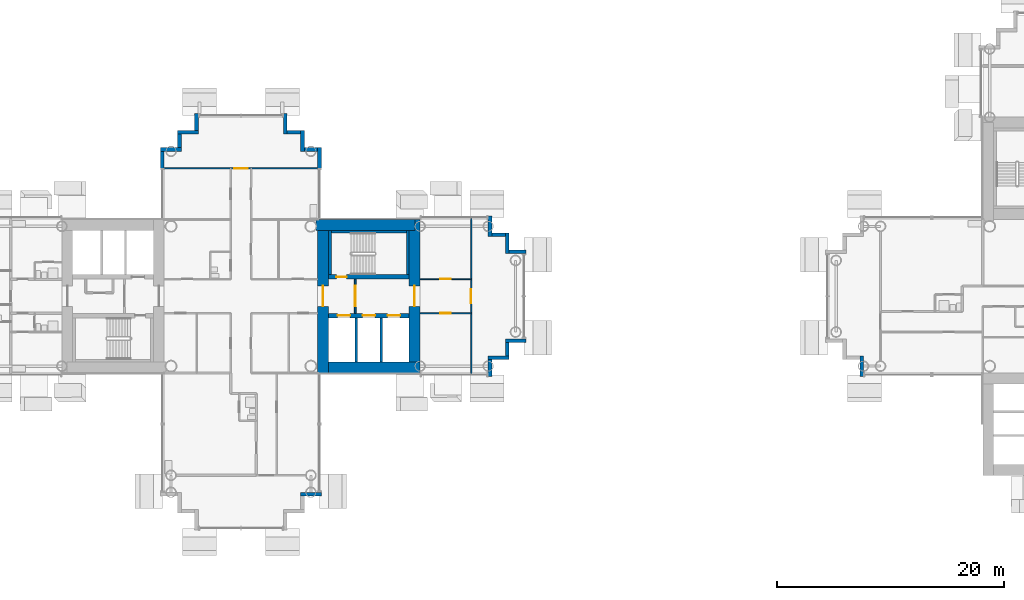
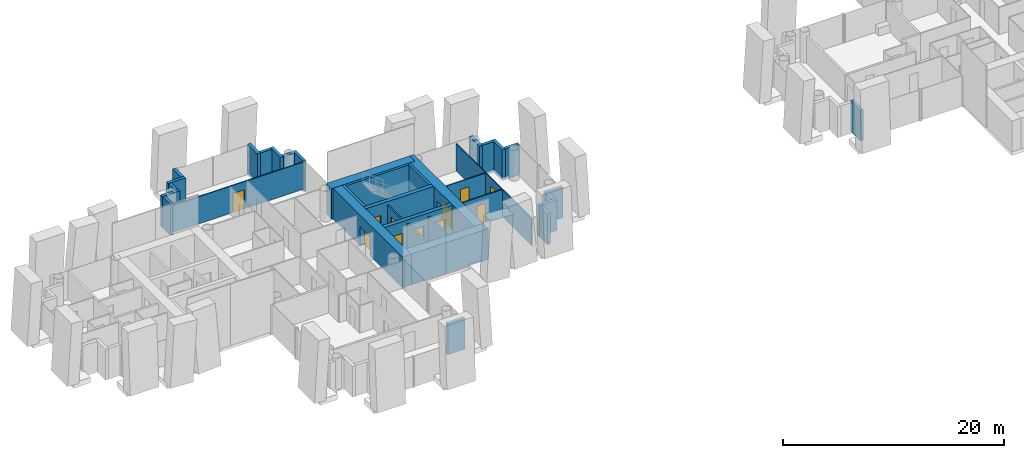
# One storey, part 10 of 21: 36 walls, 11 doors, 11 openings.
"""IFC4 building model written with IfcOpenShell, lengths in metres."""

from ifc_helpers import new_model, si_unit, direction, frame, frame_2d, origin, place, context, subcontext, project, spatial, rectangle, extrude, material, layer, layer_set, type_object, element, fill, save


model = new_model("IFC4")

# Units and contexts
model_context = context("Model", 3, precision=1e-05, world=origin(), true_north=direction((0.0, 1.0)))
body_context = subcontext(model_context, "Body", "Model", "MODEL_VIEW")
ifc_project = project(units=[si_unit("LENGTHUNIT", "METRE"), si_unit("AREAUNIT", "SQUARE_METRE"), si_unit("VOLUMEUNIT", "CUBIC_METRE"), si_unit("PLANEANGLEUNIT", "RADIAN"), si_unit("MASSUNIT", "GRAM", prefix="KILO")], contexts=[model_context])

# Site, building, storey
site_placement = place(None, origin())
site = spatial("IfcSite", under=ifc_project, at=site_placement, CompositionType="ELEMENT")
building_placement = place(site_placement, origin())
building = spatial("IfcBuilding", under=site, at=building_placement, Name="Ipe Terrace Towers", CompositionType="ELEMENT")
storey_placement = place(building_placement, frame((0.0, 0.0, 80.0)))
storey = spatial("IfcBuildingStorey", under=building, at=storey_placement, Name="L21", CompositionType="ELEMENT", Elevation=80.0)

# Walls
ifc_material_1 = material(Name="Concrete C40/50 with buff precast cladding", Category="concrete")
ifc_layer_1 = layer(ifc_material_1, 0.320068359375)
ifc_layer_set_1 = layer_set([ifc_layer_1], Name="BUFF CLADDING WALL 320")
wall_type_1 = type_object("IfcWallType", Name="BUFF CLADDING WALL 320", PredefinedType="STANDARD", material=ifc_layer_set_1)
wall_1_placement = place(storey_placement, frame((-30.75, -17.409912109375, -0.300048828125), z_axis=(0.0, 0.0, 1.0), x_axis=(1.0, 0.0, 0.0)))
element("IfcWall", 1, at=wall_1_placement, inside=storey, type_object=wall_type_1, Name="T1-W-L21-16a wall", PredefinedType="STANDARD", context=body_context, shape_type="SweptSolid", body=[
    extrude(rectangle(XDim=1.820068359375, YDim=0.320068359375, at=frame_2d((0.91015625, 0.0))), origin(), (0.0, 0.0, 1.0), 3.400146484375),
])
wall_2_placement = place(storey_placement, frame((-14.090087890625, -7.070068359375, -0.300048828125), z_axis=(0.0, 0.0, 1.0), x_axis=(0.0, 1.0, 0.0)))
element("IfcWall", 2, at=wall_2_placement, inside=storey, type_object=wall_type_1, Name="T1-W-L21-21a wall", PredefinedType="STANDARD", context=body_context, shape_type="SweptSolid", body=[
    extrude(rectangle(XDim=1.5, YDim=0.320068359375, at=frame_2d((0.75, 0.0))), origin(), (0.0, 0.0, 1.0), 3.400146484375),
])
wall_3_placement = place(storey_placement, frame((-14.25, -5.409912109375, -0.300048828125), z_axis=(0.0, 0.0, 1.0), x_axis=(1.0, 0.0, 0.0)))
element("IfcWall", 3, at=wall_3_placement, inside=storey, type_object=wall_type_1, Name="T1-W-L21-22a wall", PredefinedType="STANDARD", context=body_context, shape_type="SweptSolid", body=[
    extrude(rectangle(XDim=1.820068359375, YDim=0.320068359375, at=frame_2d((0.91015625, 0.0))), origin(), (0.0, 0.0, 1.0), 3.400146484375),
])
wall_4_placement = place(storey_placement, frame((-12.590087890625, -5.25, -0.300048828125), z_axis=(0.0, 0.0, 1.0), x_axis=(0.0, 1.0, 0.0)))
element("IfcWall", 4, at=wall_4_placement, inside=storey, type_object=wall_type_1, Name="T1-W-L21-23a wall", PredefinedType="STANDARD", context=body_context, shape_type="SweptSolid", body=[
    extrude(rectangle(XDim=1.179931640625, YDim=0.320068359375, at=frame_2d((0.58984375, 0.0))), origin(), (0.0, 0.0, 1.0), 3.400146484375),
])
wall_5_placement = place(storey_placement, frame((-12.75, -3.909912109375, -0.300048828125), z_axis=(0.0, 0.0, 1.0), x_axis=(1.0, 0.0, 0.0)))
element("IfcWall", 5, at=wall_5_placement, inside=storey, type_object=wall_type_1, Name="T1-W-L21-24a wall", PredefinedType="STANDARD", context=body_context, shape_type="SweptSolid", body=[
    extrude(rectangle(XDim=1.820068359375, YDim=0.320068359375, at=frame_2d((0.91015625, 0.0))), origin(), (0.0, 0.0, 1.0), 3.400146484375),
])
wall_6_placement = place(storey_placement, frame((-10.929931640625, 3.909912109375, -0.300048828125), z_axis=(0.0, 0.0, 1.0), x_axis=(-1.0, 0.0, 0.0)))
element("IfcWall", 6, at=wall_6_placement, inside=storey, type_object=wall_type_1, Name="T1-W-L21-26a wall", PredefinedType="STANDARD", context=body_context, shape_type="SweptSolid", body=[
    extrude(rectangle(XDim=1.5, YDim=0.320068359375, at=frame_2d((0.75, 0.0))), origin(), (0.0, 0.0, 1.0), 3.400146484375),
])
wall_7_placement = place(storey_placement, frame((-12.590087890625, 3.75, -0.300048828125), z_axis=(0.0, 0.0, 1.0), x_axis=(0.0, 1.0, 0.0)))
element("IfcWall", 7, at=wall_7_placement, inside=storey, type_object=wall_type_1, Name="T1-W-L21-27a wall", PredefinedType="STANDARD", context=body_context, shape_type="SweptSolid", body=[
    extrude(rectangle(XDim=1.820068359375, YDim=0.320068359375, at=frame_2d((0.91015625, 0.0))), origin(), (0.0, 0.0, 1.0), 3.400146484375),
])
wall_8_placement = place(storey_placement, frame((-12.75, 5.409912109375, -0.300048828125), z_axis=(0.0, 0.0, 1.0), x_axis=(-1.0, 0.0, 0.0)))
element("IfcWall", 8, at=wall_8_placement, inside=storey, type_object=wall_type_1, Name="T1-W-L21-28a wall", PredefinedType="STANDARD", context=body_context, shape_type="SweptSolid", body=[
    extrude(rectangle(XDim=1.179931640625, YDim=0.320068359375, at=frame_2d((0.58984375, 0.0))), origin(), (0.0, 0.0, 1.0), 3.400146484375),
])
for number, where, z_axis, x_axis, name in (
    (9, (-14.090087890625, 5.25, -0.300048828125), (0.0, 0.0, 1.0), (0.0, 1.0, 0.0), "T1-W-L21-29a wall"),
    (10, (-29.090087890625, 11.25, -0.300048828125), (0.0, 0.0, 1.0), (0.0, 1.0, 0.0), "T1-W-L21-33a wall"),
):
    element("IfcWall", number, at=place(storey_placement, frame(where, z_axis=z_axis, x_axis=x_axis)), inside=storey, type_object=wall_type_1, Name=name, PredefinedType="STANDARD", context=body_context, shape_type="SweptSolid", body=[
        extrude(rectangle(XDim=1.820068359375, YDim=0.320068359375, at=frame_2d((0.91015625, 0.0))), origin(), (0.0, 0.0, 1.0), 3.400146484375),
    ])
wall_9_placement = place(storey_placement, frame((-29.25, 12.909912109375, -0.300048828125), z_axis=(0.0, 0.0, 1.0), x_axis=(-1.0, 0.0, 0.0)))
element("IfcWall", 11, at=wall_9_placement, inside=storey, type_object=wall_type_1, Name="T1-W-L21-34a wall", PredefinedType="STANDARD", context=body_context, shape_type="SweptSolid", body=[
    extrude(rectangle(XDim=1.179931640625, YDim=0.320068359375, at=frame_2d((0.58984375, 0.0))), origin(), (0.0, 0.0, 1.0), 3.400146484375),
])
wall_10_placement = place(storey_placement, frame((-30.590087890625, 12.75, -0.300048828125), z_axis=(0.0, 0.0, 1.0), x_axis=(0.0, 1.0, 0.0)))
element("IfcWall", 12, at=wall_10_placement, inside=storey, type_object=wall_type_1, Name="T1-W-L21-35a wall", PredefinedType="STANDARD", context=body_context, shape_type="SweptSolid", body=[
    extrude(rectangle(XDim=1.820068359375, YDim=0.320068359375, at=frame_2d((0.91015625, 0.0))), origin(), (0.0, 0.0, 1.0), 3.400146484375),
])
wall_11_placement = place(storey_placement, frame((-30.75, 14.409912109375, -0.300048828125), z_axis=(0.0, 0.0, 1.0), x_axis=(-1.0, 0.0, 0.0)))
element("IfcWall", 13, at=wall_11_placement, inside=storey, type_object=wall_type_1, Name="T1-W-L21-36a wall", PredefinedType="STANDARD", context=body_context, shape_type="SweptSolid", body=[
    extrude(rectangle(XDim=1.179931640625, YDim=0.320068359375, at=frame_2d((0.58984375, 0.0))), origin(), (0.0, 0.0, 1.0), 3.400146484375),
])
wall_12_placement = place(storey_placement, frame((-32.090087890625, 14.25, -0.300048828125), z_axis=(0.0, 0.0, 1.0), x_axis=(0.0, 1.0, 0.0)))
element("IfcWall", 14, at=wall_12_placement, inside=storey, type_object=wall_type_1, Name="T1-W-L21-37a wall", PredefinedType="STANDARD", context=body_context, shape_type="SweptSolid", body=[
    extrude(rectangle(XDim=1.820068359375, YDim=0.320068359375, at=frame_2d((0.91015625, 0.0))), origin(), (0.0, 0.0, 1.0), 3.400146484375),
])
wall_13_placement = place(storey_placement, frame((-39.909912109375, 16.070068359375, -0.300048828125), z_axis=(0.0, 0.0, 1.0), x_axis=(0.0, -1.0, 0.0)))
element("IfcWall", 15, at=wall_13_placement, inside=storey, type_object=wall_type_1, Name="T1-W-L21-39a wall", PredefinedType="STANDARD", context=body_context, shape_type="SweptSolid", body=[
    extrude(rectangle(XDim=1.5, YDim=0.320068359375, at=frame_2d((0.75, 0.0))), origin(), (0.0, 0.0, 1.0), 3.400146484375),
])
wall_14_placement = place(storey_placement, frame((-39.75, 14.409912109375, -0.300048828125), z_axis=(0.0, 0.0, 1.0), x_axis=(-1.0, 0.0, 0.0)))
element("IfcWall", 16, at=wall_14_placement, inside=storey, type_object=wall_type_1, Name="T1-W-L21-40a wall", PredefinedType="STANDARD", context=body_context, shape_type="SweptSolid", body=[
    extrude(rectangle(XDim=1.820068359375, YDim=0.320068359375, at=frame_2d((0.91015625, 0.0))), origin(), (0.0, 0.0, 1.0), 3.400146484375),
])
wall_15_placement = place(storey_placement, frame((-41.409912109375, 14.25, -0.300048828125), z_axis=(0.0, 0.0, 1.0), x_axis=(0.0, -1.0, 0.0)))
element("IfcWall", 17, at=wall_15_placement, inside=storey, type_object=wall_type_1, Name="T1-W-L21-41a wall", PredefinedType="STANDARD", context=body_context, shape_type="SweptSolid", body=[
    extrude(rectangle(XDim=1.179931640625, YDim=0.320068359375, at=frame_2d((0.58984375, 0.0))), origin(), (0.0, 0.0, 1.0), 3.400146484375),
])
wall_16_placement = place(storey_placement, frame((-41.25, 12.909912109375, -0.300048828125), z_axis=(0.0, 0.0, 1.0), x_axis=(-1.0, 0.0, 0.0)))
element("IfcWall", 18, at=wall_16_placement, inside=storey, type_object=wall_type_1, Name="T1-W-L21-42a wall", PredefinedType="STANDARD", context=body_context, shape_type="SweptSolid", body=[
    extrude(rectangle(XDim=1.820068359375, YDim=0.320068359375, at=frame_2d((0.91015625, 0.0))), origin(), (0.0, 0.0, 1.0), 3.400146484375),
])
wall_17_placement = place(storey_placement, frame((-42.909912109375, 12.75, -0.300048828125), z_axis=(0.0, 0.0, 1.0), x_axis=(0.0, -1.0, 0.0)))
element("IfcWall", 19, at=wall_17_placement, inside=storey, type_object=wall_type_1, Name="T1-W-L21-43a wall", PredefinedType="STANDARD", context=body_context, shape_type="SweptSolid", body=[
    extrude(rectangle(XDim=1.5, YDim=0.320068359375, at=frame_2d((0.75, 0.0))), origin(), (0.0, 0.0, 1.0), 3.400146484375),
])
wall_18_placement = place(storey_placement, frame((18.590087890625, -5.25, -0.300048828125), z_axis=(0.0, 0.0, 1.0), x_axis=(0.0, -1.0, 0.0)))
element("IfcWall", 20, at=wall_18_placement, inside=storey, type_object=wall_type_1, Name="T2-W-L21-38a wall", PredefinedType="STANDARD", context=body_context, shape_type="SweptSolid", body=[
    extrude(rectangle(XDim=1.820068359375, YDim=0.320068359375, at=frame_2d((0.91015625, 0.0))), origin(), (0.0, 0.0, 1.0), 3.400146484375),
])

# Wall, opening, door
ifc_material_2 = material(Name="Gypsum board partition", Category="plasterboard")
ifc_layer_2 = layer(ifc_material_2, 0.10009765625)
ifc_layer_set_2 = layer_set([ifc_layer_2], Name="Gypsum board partition 100 mm")
wall_type_2 = type_object("IfcWallType", Name="Gypsum board partition 100 mm", PredefinedType="PARTITIONING", material=ifc_layer_set_2)
wall_19_placement = place(storey_placement, frame((-15.75, -6.85009765625, 0.0), z_axis=(0.0, 0.0, 1.0), x_axis=(0.0, 1.0, 0.0)))
wall_19 = element("IfcWall", 21, at=wall_19_placement, inside=storey, type_object=wall_type_2, Name="Gypsum board partition T1 L21 W17", PredefinedType="PARTITIONING", context=body_context, shape_type="SweptSolid", body=[
    extrude(rectangle(XDim=13.7001953125, YDim=0.10009765625, at=frame_2d((6.85009765625, 0.0))), origin(), (0.0, 0.0, 1.0), 3.0),
])
opening_1_placement = place(wall_19_placement, frame((6.25, 0.0, 0.0)))
opening_1 = element("IfcOpeningElement", 22, at=opening_1_placement, cuts=wall_19, Name="Opening T1-Z2B-18", PredefinedType="OPENING", context=body_context, shape_type="SweptSolid", body=[
    extrude(rectangle(XDim=1.199951171875, YDim=2.10009765625, at=frame_2d((0.60009765625, 1.050048828125))), frame((0.0, 0.06005859375, 0.0), z_axis=(0.0, -1.0, 0.0), x_axis=(1.0, 0.0, 0.0)), (0.0, 0.0, 1.0), 0.1201171875),
])
ifc_material_3 = material(Name="Timber door leaf", Category="wood")
door_type_1 = type_object("IfcDoorType", Name="Lounge door 1200 x 2100", OperationType="NOTDEFINED", PredefinedType="DOOR", material=ifc_material_3)
door_1_placement = place(opening_1_placement, origin())
door_1 = element("IfcDoor", 23, at=door_1_placement, inside=storey, type_object=door_type_1, Name="Lounge door T1-Z2B-18", OperationType="SINGLE_SWING_RIGHT", OverallHeight=2.10009765625, OverallWidth=1.199951171875, PredefinedType="DOOR", context=body_context, shape_type="SweptSolid", body=[
    extrude(rectangle(XDim=1.199951171875, YDim=2.10009765625, at=frame_2d((0.60009765625, 1.050048828125))), frame((0.0, 0.02490234375, 0.0), z_axis=(0.0, -1.0, 0.0), x_axis=(1.0, 0.0, 0.0)), (0.0, 0.0, 1.0), 0.050048828125),
])
fill(opening_1, door_1)

wall_20_placement = place(storey_placement, frame((-20.25, -1.5, 0.0), z_axis=(0.0, 0.0, 1.0), x_axis=(1.0, 0.0, 0.0)))
wall_20 = element("IfcWall", 24, at=wall_20_placement, inside=storey, type_object=wall_type_2, Name="Gypsum board partition T1 L21 W28", PredefinedType="PARTITIONING", context=body_context, shape_type="SweptSolid", body=[
    extrude(rectangle(XDim=4.5, YDim=0.10009765625, at=frame_2d((2.25, 0.0))), origin(), (0.0, 0.0, 1.0), 3.0),
])
opening_2_placement = place(wall_20_placement, frame((1.800048828125, 0.0, 0.0)))
opening_2 = element("IfcOpeningElement", 25, at=opening_2_placement, cuts=wall_20, Name="Opening T1-Z2B-17", PredefinedType="OPENING", context=body_context, shape_type="SweptSolid", body=[
    extrude(rectangle(XDim=0.89990234375, YDim=2.10009765625, at=frame_2d((0.449951171875, 1.050048828125))), frame((0.0, 0.06005859375, 0.0), z_axis=(0.0, -1.0, 0.0), x_axis=(1.0, 0.0, 0.0)), (0.0, 0.0, 1.0), 0.1201171875),
])
ifc_material_4 = material(Name="Timber door leaf", Category="wood")
door_type_2 = type_object("IfcDoorType", Name="Lounge door 900 x 2100", OperationType="NOTDEFINED", PredefinedType="DOOR", material=ifc_material_4)
door_2_placement = place(opening_2_placement, origin())
door_2 = element("IfcDoor", 26, at=door_2_placement, inside=storey, type_object=door_type_2, Name="Lounge door T1-Z2B-17", OperationType="SINGLE_SWING_RIGHT", OverallHeight=2.10009765625, OverallWidth=0.89990234375, PredefinedType="DOOR", context=body_context, shape_type="SweptSolid", body=[
    extrude(rectangle(XDim=0.89990234375, YDim=2.10009765625, at=frame_2d((0.449951171875, 1.050048828125))), frame((0.0, 0.02490234375, 0.0), z_axis=(0.0, -1.0, 0.0), x_axis=(1.0, 0.0, 0.0)), (0.0, 0.0, 1.0), 0.050048828125),
])
fill(opening_2, door_2)

wall_21_placement = place(storey_placement, frame((-20.25, 1.5, 0.0), z_axis=(0.0, 0.0, 1.0), x_axis=(1.0, 0.0, 0.0)))
wall_21 = element("IfcWall", 27, at=wall_21_placement, inside=storey, type_object=wall_type_2, Name="Gypsum board partition T1 L21 W33", PredefinedType="PARTITIONING", context=body_context, shape_type="SweptSolid", body=[
    extrude(rectangle(XDim=4.5, YDim=0.10009765625, at=frame_2d((2.25, 0.0))), origin(), (0.0, 0.0, 1.0), 3.0),
])
opening_3_placement = place(wall_21_placement, frame((1.800048828125, 0.0, 0.0)))
opening_3 = element("IfcOpeningElement", 28, at=opening_3_placement, cuts=wall_21, Name="Opening T1-Z2B-16", PredefinedType="OPENING", context=body_context, shape_type="SweptSolid", body=[
    extrude(rectangle(XDim=0.89990234375, YDim=2.10009765625, at=frame_2d((0.449951171875, 1.050048828125))), frame((0.0, 0.06005859375, 0.0), z_axis=(0.0, -1.0, 0.0), x_axis=(1.0, 0.0, 0.0)), (0.0, 0.0, 1.0), 0.1201171875),
])
door_3_placement = place(opening_3_placement, origin())
door_3 = element("IfcDoor", 29, at=door_3_placement, inside=storey, type_object=door_type_2, Name="Lounge door T1-Z2B-16", OperationType="SINGLE_SWING_LEFT", OverallHeight=2.10009765625, OverallWidth=0.89990234375, PredefinedType="DOOR", context=body_context, shape_type="SweptSolid", body=[
    extrude(rectangle(XDim=0.89990234375, YDim=2.10009765625, at=frame_2d((0.449951171875, 1.050048828125))), frame((0.0, 0.02490234375, 0.0), z_axis=(0.0, -1.0, 0.0), x_axis=(1.0, 0.0, 0.0)), (0.0, 0.0, 1.0), 0.050048828125),
])
fill(opening_3, door_3)

wall_22_placement = place(storey_placement, frame((-42.85009765625, 11.25, 0.0), z_axis=(0.0, 0.0, 1.0), x_axis=(1.0, 0.0, 0.0)))
wall_22 = element("IfcWall", 30, at=wall_22_placement, inside=storey, type_object=wall_type_2, Name="Gypsum board partition T1 L21 W40", PredefinedType="PARTITIONING", context=body_context, shape_type="SweptSolid", body=[
    extrude(rectangle(XDim=13.7001953125, YDim=0.10009765625, at=frame_2d((6.85009765625, 0.0))), origin(), (0.0, 0.0, 1.0), 3.0),
])
opening_4_placement = place(wall_22_placement, frame((6.25, 0.0, 0.0)))
opening_4 = element("IfcOpeningElement", 31, at=opening_4_placement, cuts=wall_22, Name="Opening T1-Z2B-11", PredefinedType="OPENING", context=body_context, shape_type="SweptSolid", body=[
    extrude(rectangle(XDim=1.199951171875, YDim=2.10009765625, at=frame_2d((0.60009765625, 1.050048828125))), frame((0.0, 0.06005859375, 0.0), z_axis=(0.0, -1.0, 0.0), x_axis=(1.0, 0.0, 0.0)), (0.0, 0.0, 1.0), 0.1201171875),
])
door_4_placement = place(opening_4_placement, origin())
door_4 = element("IfcDoor", 32, at=door_4_placement, inside=storey, type_object=door_type_1, Name="Lounge door T1-Z2B-11", OperationType="SINGLE_SWING_LEFT", OverallHeight=2.10009765625, OverallWidth=1.199951171875, PredefinedType="DOOR", context=body_context, shape_type="SweptSolid", body=[
    extrude(rectangle(XDim=1.199951171875, YDim=2.10009765625, at=frame_2d((0.60009765625, 1.050048828125))), frame((0.0, 0.02490234375, 0.0), z_axis=(0.0, -1.0, 0.0), x_axis=(1.0, 0.0, 0.0)), (0.0, 0.0, 1.0), 0.050048828125),
])
fill(opening_4, door_4)

ifc_material_5 = material(Name="Gypsum board partition", Category="plasterboard")
ifc_layer_3 = layer(ifc_material_5, 0.14990234375)
ifc_layer_set_3 = layer_set([ifc_layer_3], Name="Gypsum board partition 150 mm")
wall_type_3 = type_object("IfcWallType", Name="Gypsum board partition 150 mm", PredefinedType="PARTITIONING", material=ifc_layer_set_3)
wall_23_placement = place(storey_placement, frame((-25.949951171875, -1.5, 0.0), z_axis=(0.0, 0.0, 1.0), x_axis=(0.0, 1.0, 0.0)))
wall_23 = element("IfcWall", 33, at=wall_23_placement, inside=storey, type_object=wall_type_3, Name="Gypsum board partition T1 L21 t1c1-lobby-wall", PredefinedType="PARTITIONING", context=body_context, shape_type="SweptSolid", body=[
    extrude(rectangle(XDim=3.0, YDim=0.14990234375, at=frame_2d((1.5, 0.0))), origin(), (0.0, 0.0, 1.0), 3.0),
])
opening_5_placement = place(wall_23_placement, frame((0.60009765625, 0.0, 0.0)))
opening_5 = element("IfcOpeningElement", 34, at=opening_5_placement, cuts=wall_23, Name="Opening T1C1-VD", PredefinedType="OPENING", context=body_context, shape_type="SweptSolid", body=[
    extrude(rectangle(XDim=1.800048828125, YDim=2.10009765625, at=frame_2d((0.89990234375, 1.050048828125))), frame((0.0, 0.0849609375, 0.0), z_axis=(0.0, -1.0, 0.0), x_axis=(1.0, 0.0, 0.0)), (0.0, 0.0, 1.0), 0.169921875),
])
ifc_material_6 = material(Name="Fire-rated timber door leaf", Category="wood")
door_type_3 = type_object("IfcDoorType", Name="Lobby door 1800 x 2100 FD60", OperationType="NOTDEFINED", PredefinedType="DOOR", material=ifc_material_6)
door_5_placement = place(opening_5_placement, origin())
door_5 = element("IfcDoor", 35, at=door_5_placement, inside=storey, type_object=door_type_3, Name="Lobby door T1C1-VD", OperationType="SINGLE_SWING_LEFT", OverallHeight=2.10009765625, OverallWidth=1.800048828125, PredefinedType="DOOR", context=body_context, shape_type="SweptSolid", body=[
    extrude(rectangle(XDim=1.800048828125, YDim=2.10009765625, at=frame_2d((0.89990234375, 1.050048828125))), frame((0.0, 0.02490234375, 0.0), z_axis=(0.0, -1.0, 0.0), x_axis=(1.0, 0.0, 0.0)), (0.0, 0.0, 1.0), 0.050048828125),
])
fill(opening_5, door_5)

# Walls
ifc_material_7 = material(Name="Gypsum board party wall", Category="plasterboard")
ifc_layer_4 = layer(ifc_material_7, 0.199951171875)
ifc_layer_set_4 = layer_set([ifc_layer_4], Name="Gypsum board party wall 200 mm")
wall_type_4 = type_object("IfcWallType", Name="Gypsum board party wall 200 mm", PredefinedType="SOLIDWALL", material=ifc_layer_set_4)
for number, where, z_axis, x_axis, name in (
    (36, (-25.85009765625, -5.800048828125, 0.0), (0.0, 0.0, 1.0), (0.0, 1.0, 0.0), "Gypsum board party wall T1 L21 t1c1-shaft-div1"),
    (37, (-23.64990234375, -5.800048828125, 0.0), (0.0, 0.0, 1.0), (0.0, 1.0, 0.0), "Gypsum board party wall T1 L21 t1c1-shaft-div2"),
):
    element("IfcWall", number, at=place(storey_placement, frame(where, z_axis=z_axis, x_axis=x_axis)), inside=storey, type_object=wall_type_4, Name=name, PredefinedType="SOLIDWALL", context=body_context, shape_type="SweptSolid", body=[
        extrude(rectangle(XDim=3.900146484375, YDim=0.199951171875, at=frame_2d((1.9501953125, 0.0))), origin(), (0.0, 0.0, 1.0), 3.0),
    ])
ifc_material_8 = material(Name="Concrete C50/60", Category="concrete")
ifc_layer_5 = layer(ifc_material_8, 0.25)
ifc_layer_set_5 = layer_set([ifc_layer_5], Name="RW250 CORE INFILL WALL 250 C50-60")
wall_type_5 = type_object("IfcWallType", Name="RW250 CORE INFILL WALL 250 C50-60", PredefinedType="SHEAR", material=ifc_layer_set_5)
wall_24_placement = place(storey_placement, frame((-21.324951171875, 1.89990234375, 0.0), z_axis=(0.0, 0.0, 1.0), x_axis=(0.0, 1.0, 0.0)))
element("IfcWall", 38, at=wall_24_placement, inside=storey, type_object=wall_type_5, Name="Core infill wall T1-C1-far", PredefinedType="SHEAR", context=body_context, shape_type="SweptSolid", body=[
    extrude(rectangle(XDim=3.900146484375, YDim=0.25, at=frame_2d((1.9501953125, 0.0))), origin(), (0.0, 0.0, 1.0), 3.39990234375),
])
wall_25_placement = place(storey_placement, frame((-28.050048828125, 5.675048828125, 0.0), z_axis=(0.0, 0.0, 1.0), x_axis=(1.0, 0.0, 0.0)))
element("IfcWall", 39, at=wall_25_placement, inside=storey, type_object=wall_type_5, Name="Core infill wall T1-C1-back", PredefinedType="SHEAR", context=body_context, shape_type="SweptSolid", body=[
    extrude(rectangle(XDim=6.60009765625, YDim=0.25, at=frame_2d((3.300048828125, 0.0))), origin(), (0.0, 0.0, 1.0), 3.39990234375),
])
wall_26_placement = place(storey_placement, frame((-28.175048828125, 1.89990234375, 0.0), z_axis=(0.0, 0.0, 1.0), x_axis=(0.0, 1.0, 0.0)))
element("IfcWall", 40, at=wall_26_placement, inside=storey, type_object=wall_type_5, Name="Core infill wall T1-C1-near", PredefinedType="SHEAR", context=body_context, shape_type="SweptSolid", body=[
    extrude(rectangle(XDim=3.900146484375, YDim=0.25, at=frame_2d((1.9501953125, 0.0))), origin(), (0.0, 0.0, 1.0), 3.39990234375),
])

# Wall, openings, doors
ifc_material_9 = material(Name="Concrete C50/60", Category="concrete")
ifc_layer_6 = layer(ifc_material_9, 0.39990234375)
ifc_layer_set_6 = layer_set([ifc_layer_6], Name="RW400 CORE SPINE WALL 400 C50-60")
wall_type_6 = type_object("IfcWallType", Name="RW400 CORE SPINE WALL 400 C50-60", PredefinedType="SHEAR", material=ifc_layer_set_6)
wall_27_placement = place(storey_placement, frame((-28.300048828125, -1.699951171875, 0.0), z_axis=(0.0, 0.0, 1.0), x_axis=(1.0, 0.0, 0.0)))
wall_27 = element("IfcWall", 41, at=wall_27_placement, inside=storey, type_object=wall_type_6, Name="Core spine wall T1-C1-Z2-SW1", PredefinedType="SHEAR", context=body_context, shape_type="SweptSolid", body=[
    extrude(rectangle(XDim=7.10009765625, YDim=0.39990234375, at=frame_2d((3.550048828125, 0.0))), origin(), (0.0, 0.0, 1.0), 3.39990234375),
])
opening_6_placement = place(wall_27_placement, frame((0.800048828125, 0.0, 0.0)))
opening_6 = element("IfcOpeningElement", 42, at=opening_6_placement, cuts=wall_27, Name="Opening T1C1-LD1", PredefinedType="OPENING", context=body_context, shape_type="SweptSolid", body=[
    extrude(rectangle(XDim=1.10009765625, YDim=2.10009765625, at=frame_2d((0.550048828125, 1.050048828125))), frame((0.0, 0.2099609375, 0.0), z_axis=(0.0, -1.0, 0.0), x_axis=(1.0, 0.0, 0.0)), (0.0, 0.0, 1.0), 0.419921875),
])
opening_7_placement = place(wall_27_placement, frame((3.0, 0.0, 0.0)))
opening_7 = element("IfcOpeningElement", 43, at=opening_7_placement, cuts=wall_27, Name="Opening T1C1-LD2", PredefinedType="OPENING", context=body_context, shape_type="SweptSolid", body=[
    extrude(rectangle(XDim=1.10009765625, YDim=2.10009765625, at=frame_2d((0.550048828125, 1.050048828125))), frame((0.0, 0.2099609375, 0.0), z_axis=(0.0, -1.0, 0.0), x_axis=(1.0, 0.0, 0.0)), (0.0, 0.0, 1.0), 0.419921875),
])
opening_8_placement = place(wall_27_placement, frame((5.199951171875, 0.0, 0.0)))
opening_8 = element("IfcOpeningElement", 44, at=opening_8_placement, cuts=wall_27, Name="Opening T1C1-LD3", PredefinedType="OPENING", context=body_context, shape_type="SweptSolid", body=[
    extrude(rectangle(XDim=1.10009765625, YDim=2.10009765625, at=frame_2d((0.550048828125, 1.050048828125))), frame((0.0, 0.2099609375, 0.0), z_axis=(0.0, -1.0, 0.0), x_axis=(1.0, 0.0, 0.0)), (0.0, 0.0, 1.0), 0.419921875),
])
ifc_material_10 = material(Name="Fire-rated timber door leaf", Category="wood")
door_type_4 = type_object("IfcDoorType", Name="Sliding door 1100 x 2100 FD60", OperationType="SLIDING_TO_LEFT", PredefinedType="DOOR", material=ifc_material_10)
door_6_placement = place(opening_6_placement, origin())
door_6 = element("IfcDoor", 45, at=door_6_placement, inside=storey, type_object=door_type_4, Name="Sliding door T1C1-LD1", OperationType="SLIDING_TO_LEFT", OverallHeight=2.10009765625, OverallWidth=1.10009765625, PredefinedType="DOOR", context=body_context, shape_type="SweptSolid", body=[
    extrude(rectangle(XDim=1.10009765625, YDim=2.10009765625, at=frame_2d((0.550048828125, 1.050048828125))), frame((0.0, 0.02490234375, 0.0), z_axis=(0.0, -1.0, 0.0), x_axis=(1.0, 0.0, 0.0)), (0.0, 0.0, 1.0), 0.050048828125),
])
fill(opening_6, door_6)
door_7_placement = place(opening_7_placement, origin())
door_7 = element("IfcDoor", 46, at=door_7_placement, inside=storey, type_object=door_type_4, Name="Sliding door T1C1-LD2", OperationType="SLIDING_TO_LEFT", OverallHeight=2.10009765625, OverallWidth=1.10009765625, PredefinedType="DOOR", context=body_context, shape_type="SweptSolid", body=[
    extrude(rectangle(XDim=1.10009765625, YDim=2.10009765625, at=frame_2d((0.550048828125, 1.050048828125))), frame((0.0, 0.02490234375, 0.0), z_axis=(0.0, -1.0, 0.0), x_axis=(1.0, 0.0, 0.0)), (0.0, 0.0, 1.0), 0.050048828125),
])
fill(opening_7, door_7)
door_8_placement = place(opening_8_placement, origin())
door_8 = element("IfcDoor", 47, at=door_8_placement, inside=storey, type_object=door_type_4, Name="Sliding door T1C1-LD3", OperationType="SLIDING_TO_LEFT", OverallHeight=2.10009765625, OverallWidth=1.10009765625, PredefinedType="DOOR", context=body_context, shape_type="SweptSolid", body=[
    extrude(rectangle(XDim=1.10009765625, YDim=2.10009765625, at=frame_2d((0.550048828125, 1.050048828125))), frame((0.0, 0.02490234375, 0.0), z_axis=(0.0, -1.0, 0.0), x_axis=(1.0, 0.0, 0.0)), (0.0, 0.0, 1.0), 0.050048828125),
])
fill(opening_8, door_8)

# Wall, opening, door
wall_28_placement = place(storey_placement, frame((-28.300048828125, 1.699951171875, 0.0), z_axis=(0.0, 0.0, 1.0), x_axis=(1.0, 0.0, 0.0)))
wall_28 = element("IfcWall", 48, at=wall_28_placement, inside=storey, type_object=wall_type_6, Name="Core spine wall T1-C1-Z2-SW2", PredefinedType="SHEAR", context=body_context, shape_type="SweptSolid", body=[
    extrude(rectangle(XDim=7.10009765625, YDim=0.39990234375, at=frame_2d((3.550048828125, 0.0))), origin(), (0.0, 0.0, 1.0), 3.39990234375),
])
opening_9_placement = place(wall_28_placement, frame((0.699951171875, 0.0, 0.0)))
opening_9 = element("IfcOpeningElement", 49, at=opening_9_placement, cuts=wall_28, Name="Opening T1C1-SD", PredefinedType="OPENING", context=body_context, shape_type="SweptSolid", body=[
    extrude(rectangle(XDim=0.89990234375, YDim=2.10009765625, at=frame_2d((0.449951171875, 1.050048828125))), frame((0.0, 0.2099609375, 0.0), z_axis=(0.0, -1.0, 0.0), x_axis=(1.0, 0.0, 0.0)), (0.0, 0.0, 1.0), 0.419921875),
])
ifc_material_11 = material(Name="Fire-rated timber door leaf", Category="wood")
door_type_5 = type_object("IfcDoorType", Name="Stair door 900 x 2100 FD60", OperationType="NOTDEFINED", PredefinedType="DOOR", material=ifc_material_11)
door_9_placement = place(opening_9_placement, origin())
door_9 = element("IfcDoor", 50, at=door_9_placement, inside=storey, type_object=door_type_5, Name="Stair door T1C1-SD", OperationType="SINGLE_SWING_LEFT", OverallHeight=2.10009765625, OverallWidth=0.89990234375, PredefinedType="DOOR", context=body_context, shape_type="SweptSolid", body=[
    extrude(rectangle(XDim=0.89990234375, YDim=2.10009765625, at=frame_2d((0.449951171875, 1.050048828125))), frame((0.0, 0.02490234375, 0.0), z_axis=(0.0, -1.0, 0.0), x_axis=(1.0, 0.0, 0.0)), (0.0, 0.0, 1.0), 0.050048828125),
])
fill(opening_9, door_9)

# Wall
ifc_material_12 = material(Name="Concrete C50/60", Category="concrete")
ifc_layer_7 = layer(ifc_material_12, 0.949951171875)
ifc_layer_set_7 = layer_set([ifc_layer_7], Name="RW950 CORE WALL 950 C50-60")
wall_type_7 = type_object("IfcWallType", Name="RW950 CORE WALL 950 C50-60", PredefinedType="SHEAR", material=ifc_layer_set_7)
wall_29_placement = place(storey_placement, frame((-28.300048828125, -6.27490234375, 0.0), z_axis=(0.0, 0.0, 1.0), x_axis=(1.0, 0.0, 0.0)))
element("IfcWall", 51, at=wall_29_placement, inside=storey, type_object=wall_type_7, Name="Core wall T1-C1-Z2-W01", PredefinedType="SHEAR", context=body_context, shape_type="SweptSolid", body=[
    extrude(rectangle(XDim=8.050048828125, YDim=0.949951171875, at=frame_2d((4.02490234375, 0.0))), origin(), (0.0, 0.0, 1.0), 3.39990234375),
])

# Wall, opening, door
wall_30_placement = place(storey_placement, frame((-20.72509765625, -5.800048828125, 0.0), z_axis=(0.0, 0.0, 1.0), x_axis=(0.0, 1.0, 0.0)))
wall_30 = element("IfcWall", 52, at=wall_30_placement, inside=storey, type_object=wall_type_7, Name="Core wall T1-C1-Z2-W02", PredefinedType="SHEAR", context=body_context, shape_type="SweptSolid", body=[
    extrude(rectangle(XDim=12.550048828125, YDim=0.949951171875, at=frame_2d((6.27490234375, 0.0))), origin(), (0.0, 0.0, 1.0), 3.39990234375),
])
opening_10_placement = place(wall_30_placement, frame((4.89990234375, 0.0, 0.0)))
opening_10 = element("IfcOpeningElement", 53, at=opening_10_placement, cuts=wall_30, Name="Opening T1C1-FD", PredefinedType="OPENING", context=body_context, shape_type="SweptSolid", body=[
    extrude(rectangle(XDim=1.800048828125, YDim=2.10009765625, at=frame_2d((0.89990234375, 1.050048828125))), frame((0.0, 0.48486328125, 0.0), z_axis=(0.0, -1.0, 0.0), x_axis=(1.0, 0.0, 0.0)), (0.0, 0.0, 1.0), 0.969970703125),
])
ifc_material_13 = material(Name="Fire-rated timber door leaf", Category="wood")
door_type_6 = type_object("IfcDoorType", Name="Fire door 1800 x 2100 FD30S", OperationType="NOTDEFINED", PredefinedType="DOOR", material=ifc_material_13)
door_10_placement = place(opening_10_placement, origin())
door_10 = element("IfcDoor", 54, at=door_10_placement, inside=storey, type_object=door_type_6, Name="Fire door T1C1-FD", OperationType="SINGLE_SWING_LEFT", OverallHeight=2.10009765625, OverallWidth=1.800048828125, PredefinedType="DOOR", context=body_context, shape_type="SweptSolid", body=[
    extrude(rectangle(XDim=1.800048828125, YDim=2.10009765625, at=frame_2d((0.89990234375, 1.050048828125))), frame((0.0, 0.02490234375, 0.0), z_axis=(0.0, -1.0, 0.0), x_axis=(1.0, 0.0, 0.0)), (0.0, 0.0, 1.0), 0.050048828125),
])
fill(opening_10, door_10)

# Wall
wall_31_placement = place(storey_placement, frame((-20.701904296875, 6.27490234375, 0.0), z_axis=(0.0, 0.0, 1.0), x_axis=(-1.0, 0.0, 0.0)))
element("IfcWall", 55, at=wall_31_placement, inside=storey, type_object=wall_type_7, Name="Core wall T1-C1-Z2-W03", PredefinedType="SHEAR", context=body_context, shape_type="SweptSolid", body=[
    extrude(rectangle(XDim=8.696044921875, YDim=0.949951171875, at=frame_2d((4.34814453125, 0.0))), origin(), (0.0, 0.0, 1.0), 3.39990234375),
])

# Wall, opening, door
wall_32_placement = place(storey_placement, frame((-28.77490234375, 5.800048828125, 0.0), z_axis=(0.0, 0.0, 1.0), x_axis=(0.0, -1.0, 0.0)))
wall_32 = element("IfcWall", 56, at=wall_32_placement, inside=storey, type_object=wall_type_7, Name="Core wall T1-C1-Z2-W04", PredefinedType="SHEAR", context=body_context, shape_type="SweptSolid", body=[
    extrude(rectangle(XDim=12.550048828125, YDim=0.949951171875, at=frame_2d((6.27490234375, 0.0))), origin(), (0.0, 0.0, 1.0), 3.39990234375),
])
opening_11_placement = place(wall_32_placement, frame((4.89990234375, 0.0, 0.0)))
opening_11 = element("IfcOpeningElement", 57, at=opening_11_placement, cuts=wall_32, Name="Opening T1C1-ND", PredefinedType="OPENING", context=body_context, shape_type="SweptSolid", body=[
    extrude(rectangle(XDim=1.800048828125, YDim=2.10009765625, at=frame_2d((0.89990234375, 1.050048828125))), frame((0.0, 0.48486328125, 0.0), z_axis=(0.0, -1.0, 0.0), x_axis=(1.0, 0.0, 0.0)), (0.0, 0.0, 1.0), 0.969970703125),
])
door_11_placement = place(opening_11_placement, origin())
door_11 = element("IfcDoor", 58, at=door_11_placement, inside=storey, type_object=door_type_6, Name="Fire door T1C1-ND", OperationType="SINGLE_SWING_LEFT", OverallHeight=2.10009765625, OverallWidth=1.800048828125, PredefinedType="DOOR", context=body_context, shape_type="SweptSolid", body=[
    extrude(rectangle(XDim=1.800048828125, YDim=2.10009765625, at=frame_2d((0.89990234375, 1.050048828125))), frame((0.0, 0.02490234375, 0.0), z_axis=(0.0, -1.0, 0.0), x_axis=(1.0, 0.0, 0.0)), (0.0, 0.0, 1.0), 0.050048828125),
])
fill(opening_11, door_11)

save(model, "model.ifc")
